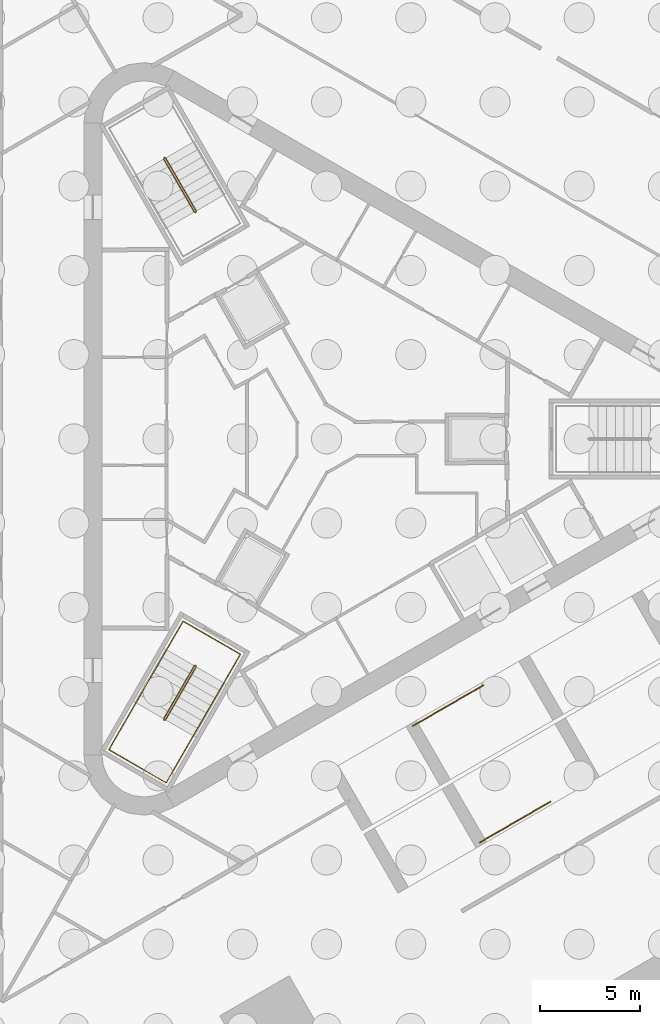
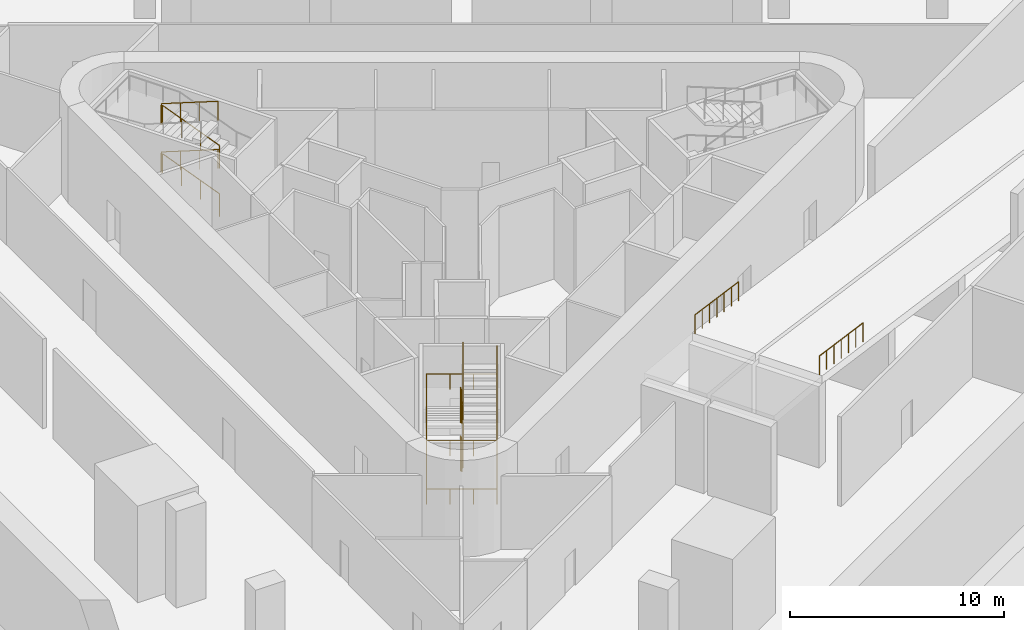
# One storey, part 11 of 13: 5 railings.
"""IFC4 building model written with IfcOpenShell, lengths in metres."""

import ifcopenshell
import ifcopenshell.guid

model = None  # the IFC model being written
_history = None  # IfcOwnerHistory: only IFC2X3 demands one
_inside = {}  # id of a spatial element -> (the spatial element, [elements in it])
_under = {}  # id of a project, library or spatial element -> (it, [spatial elements below it])
_declared = {}  # id of a project -> (the project, [libraries it declares])
_typed = {}  # id of a type object -> (the type object, [elements of that type])
_made_of = {}  # id of a material, layer set ... -> (it, [elements and type objects made of it])


def new_model(schema):
    """Start an empty IFC model of exactly this schema.

    Asked for "IFC4X3", IfcOpenShell would pick the latest addendum, in which some entities
    have other attributes; the version numbers below select the first issue.
    IFC2X3 requires an IfcOwnerHistory on every rooted entity: one is made here for all.
    """
    global model, _history
    if schema == "IFC4X3":
        model = ifcopenshell.file(schema_version=(4, 3, 0, 0))
    else:
        model = ifcopenshell.file(schema=schema)
    _inside.clear()
    _under.clear()
    _declared.clear()
    _typed.clear()
    _made_of.clear()
    _history = None
    if model.schema == "IFC2X3":
        org = make("IfcOrganization", Name="unknown")
        user = make(
            "IfcPersonAndOrganization",
            ThePerson=make("IfcPerson", FamilyName="unknown"),
            TheOrganization=org,
        )
        app = make(
            "IfcApplication",
            ApplicationDeveloper=org,
            Version="unknown",
            ApplicationFullName="unknown",
            ApplicationIdentifier="unknown",
        )
        _history = make(
            "IfcOwnerHistory",
            OwningUser=user,
            OwningApplication=app,
            ChangeAction="ADDED",
            CreationDate=0,
        )
    return model


def make(cls, **values):
    """One entity of the class cls with the attributes given. An attribute that is None is left unset."""
    return model.create_entity(
        cls, **{name: value for name, value in values.items() if value is not None}
    )


def rooted(cls, **values):
    """An entity with a GlobalId (a new one), such as an element, a storey or a relation."""
    return make(cls, GlobalId=ifcopenshell.guid.new(), OwnerHistory=_history, **values)


def si_unit(unit_type, name, prefix=None):
    """IfcSIUnit, for example si_unit("LENGTHUNIT", "METRE", prefix="MILLI")."""
    return make("IfcSIUnit", UnitType=unit_type, Prefix=prefix, Name=name)


def assignment(units):
    """IfcUnitAssignment: the units of a project."""
    return None if units is None else make("IfcUnitAssignment", Units=units)


def point(xyz):
    """IfcCartesianPoint."""
    return None if xyz is None else make("IfcCartesianPoint", Coordinates=xyz)


def direction(xyz):
    """IfcDirection."""
    return None if xyz is None else make("IfcDirection", DirectionRatios=xyz)


def frame(location, z_axis=None, x_axis=None):
    """IfcAxis2Placement3D, a coordinate frame: its origin and axes. An axis left out is left unset."""
    return make(
        "IfcAxis2Placement3D",
        Location=point(location),
        Axis=direction(z_axis),
        RefDirection=direction(x_axis),
    )


def frame_2d(location, x_axis=None):
    """IfcAxis2Placement2D, a coordinate frame in the plane: its origin and x axis."""
    return make(
        "IfcAxis2Placement2D", Location=point(location), RefDirection=direction(x_axis)
    )


def origin():
    """The frame at (0, 0, 0) with its axes left unset."""
    return frame((0.0, 0.0, 0.0))


def origin_2d():
    """The frame at (0, 0) in the plane with its x axis left unset."""
    return frame_2d((0.0, 0.0))


def place(relative_to, where):
    """IfcLocalPlacement: puts the frame where relative to a parent placement (None: the world)."""
    return make(
        "IfcLocalPlacement", PlacementRelTo=relative_to, RelativePlacement=where
    )


def context(
    kind, dimensions, precision=None, world=None, true_north=None, identifier=None
):
    """IfcGeometricRepresentationContext, for example the 3D "Model" context."""
    return make(
        "IfcGeometricRepresentationContext",
        ContextIdentifier=identifier,
        ContextType=kind,
        CoordinateSpaceDimension=dimensions,
        Precision=precision,
        WorldCoordinateSystem=world,
        TrueNorth=true_north,
    )


def subcontext(parent, identifier, kind, view, scale=None):
    """IfcGeometricRepresentationSubContext, for example "Body" below "Model"."""
    return make(
        "IfcGeometricRepresentationSubContext",
        ContextIdentifier=identifier,
        ContextType=kind,
        ParentContext=parent,
        TargetScale=scale,
        TargetView=view,
    )


def project(units=None, contexts=None):
    """IfcProject with its units and contexts."""
    return rooted(
        "IfcProject",
        Name="project",
        RepresentationContexts=contexts,
        UnitsInContext=assignment(units),
    )


def spatial(cls, under=None, at=None, **own):
    """A site, building, storey or space (cls), placed at a placement, below another one or the project."""
    s = rooted(cls, ObjectPlacement=at, **own)
    if under is not None:
        _under.setdefault(under.id(), (under, []))[1].append(s)
    return s


def profile(cls, at=None, kind="AREA", **sizes):
    """A parametric profile (cls). Its sizes go by their IFC names, for example OverallWidth=200.0."""
    return make(cls, ProfileType=kind, Position=at, **sizes)


def circle(**sizes):
    """IfcCircleProfileDef."""
    return profile("IfcCircleProfileDef", **sizes)


def extrude(swept, where, along, depth):
    """IfcExtrudedAreaSolid: the profile swept, set in the frame where, extruded along a direction by depth."""
    return make(
        "IfcExtrudedAreaSolid",
        SweptArea=swept,
        Position=where,
        ExtrudedDirection=direction(along),
        Depth=depth,
    )


def shape(context_of_items, identifier, shape_type, items):
    """IfcShapeRepresentation: the items that make up one representation, for example the "Body"."""
    return make(
        "IfcShapeRepresentation",
        ContextOfItems=context_of_items,
        RepresentationIdentifier=identifier,
        RepresentationType=shape_type,
        Items=items,
    )


def material(Name=None, Category=None):
    """IfcMaterial."""
    return make("IfcMaterial", Name=Name, Category=Category)


def made_of(thing, what):
    """Note that an element or type object is made of a material, layer set ...; save() writes the relation."""
    if what is not None:
        _made_of.setdefault(what.id(), (what, []))[1].append(thing)
    return thing


def type_object(cls, material=None, **own):
    """A type object (cls), such as IfcWallType, which elements share."""
    return made_of(rooted(cls, **own), material)


def element(
    cls,
    number,
    at=None,
    inside=None,
    cuts=None,
    type_object=None,
    material=None,
    context=None,
    identifier="Body",
    shape_type=None,
    held_by="IfcProductDefinitionShape",
    body=None,
    shapes=None,
    **own,
):
    """One element of the class cls, such as IfcWall. Its Tag is "e" and its number.

    at: its placement. inside: the storey or other place that contains it. cuts: it is an
    opening in that element (IfcRelVoidsElement). A single representation is given by context,
    identifier, shape_type and body (its items); several are given by shapes. held_by: the class
    of the entity that holds the representations. save() writes the other relations.
    """
    e = rooted(cls, Tag="e%d" % number, ObjectPlacement=at, **own)
    if body is not None:
        shapes = [shape(context, identifier, shape_type, body)]
    if shapes is not None:
        e.Representation = make(held_by, Representations=shapes)
    if inside is not None:
        _inside.setdefault(inside.id(), (inside, []))[1].append(e)
    if cuts is not None:
        rooted(
            "IfcRelVoidsElement", RelatingBuildingElement=cuts, RelatedOpeningElement=e
        )
    if type_object is not None:
        _typed.setdefault(type_object.id(), (type_object, []))[1].append(e)
    return made_of(e, material)


def aggregate(whole, parts):
    """IfcRelAggregates: a whole, such as a stair, and the parts it consists of."""
    return rooted("IfcRelAggregates", RelatingObject=whole, RelatedObjects=parts)


def save(model, path):
    """Write the relations noted so far, then the file.

    IfcRelAggregates (storeys below a building ...), IfcRelContainedInSpatialStructure (elements
    in a storey), IfcRelDefinesByType, IfcRelAssociatesMaterial and IfcRelDeclares: one each for
    every whole, place, type object, material and project.
    """
    for whole, parts in _under.values():
        aggregate(whole, parts)
    for where, things in _inside.values():
        rooted(
            "IfcRelContainedInSpatialStructure",
            RelatedElements=things,
            RelatingStructure=where,
        )
    for kind, things in _typed.values():
        rooted("IfcRelDefinesByType", RelatedObjects=things, RelatingType=kind)
    for what, things in _made_of.values():
        rooted("IfcRelAssociatesMaterial", RelatedObjects=things, RelatingMaterial=what)
    for by, libraries in _declared.values():
        rooted("IfcRelDeclares", RelatingContext=by, RelatedDefinitions=libraries)
    model.write(path)


model = new_model("IFC4")

# Units and contexts
model_context = context("Model", 3, precision=1e-05, world=origin(), true_north=direction((0.0, 1.0)))
body_context = subcontext(model_context, "Body", "Model", "MODEL_VIEW")
ifc_project = project(units=[si_unit("LENGTHUNIT", "METRE"), si_unit("AREAUNIT", "SQUARE_METRE"), si_unit("VOLUMEUNIT", "CUBIC_METRE"), si_unit("PLANEANGLEUNIT", "RADIAN"), si_unit("MASSUNIT", "GRAM", prefix="KILO")], contexts=[model_context])

# Site, building, storey
site_placement = place(None, origin())
site = spatial("IfcSite", under=ifc_project, at=site_placement, CompositionType="ELEMENT")
building_placement = place(site_placement, origin())
building = spatial("IfcBuilding", under=site, at=building_placement, Name="Tanit Gate Tower", CompositionType="ELEMENT")
storey_placement = place(building_placement, frame((0.0, 0.0, -11.0)))
storey = spatial("IfcBuildingStorey", under=building, at=storey_placement, Name="B2", CompositionType="ELEMENT", Elevation=-11.0)

# Railings
ifc_material_1 = material(Name="Stainless steel balustrade", Category="steel")
railing_type_1 = type_object("IfcRailingType", Name="INT-STAIR-GUARD", PredefinedType="GUARDRAIL", material=ifc_material_1)
railing_1_placement = place(storey_placement, frame((-6.527099609375, 11.29345703125, 0.0)))
element("IfcRailing", 1, at=railing_1_placement, inside=storey, type_object=railing_type_1, Name="B2 S2 stair guard 1", PredefinedType="GUARDRAIL", context=body_context, shape_type="SweptSolid", body=[
    extrude(circle(Radius=0.02392578125, at=origin_2d()), frame((0.0, 0.0, 1.076171875), z_axis=(0.868243142124, 0.496138938357, 0.0), x_axis=(-0.496138938357, 0.868243142124, 0.0)), (0.0, 0.0, 1.0), 0.01171875),
    extrude(circle(Radius=0.02392578125, at=origin_2d()), frame((0.01025390625, 0.005859375, 1.076171875), z_axis=(0.098510316608, 0.367771848671, 0.924683505231), x_axis=(-0.965948051503, 0.258736085224, 0.0)), (0.0, 0.0, 1.0), 0.185791015625),
    extrude(circle(Radius=0.02392578125, at=origin_2d()), frame((0.028564453125, 0.07421875, 1.248046875), z_axis=(-0.465124729526, 0.805570708496, 0.367035174877), x_axis=(-0.866012246495, -0.500022788402, 0.0)), (0.0, 0.0, 1.0), 3.278076171875),
    extrude(circle(Radius=0.02392578125, at=origin_2d()), frame((-1.49609375, 2.71484375, 2.451171875), z_axis=(-0.965715946433, 0.259601060869, 0.0), x_axis=(-0.259601060869, -0.965715946433, 0.0)), (0.0, 0.0, 1.0), 0.070556640625),
    extrude(circle(Radius=0.02392578125, at=origin_2d()), frame((-1.564208984375, 2.733154296875, 2.451171875), z_axis=(-0.873197702015, -0.487366159264, 0.0), x_axis=(0.487366159264, -0.873197702015, 0.0)), (0.0, 0.0, 1.0), 0.011962890625),
    extrude(circle(Radius=0.02392578125, at=origin_2d()), frame((-1.57470703125, 2.727294921875, 2.451171875), z_axis=(-0.098510316608, -0.367771848671, 0.924683505231), x_axis=(0.965948051503, -0.258736085224, 0.0)), (0.0, 0.0, 1.0), 0.185791015625),
    extrude(circle(Radius=0.02392578125, at=origin_2d()), frame((-1.593017578125, 2.658935546875, 2.623046875), z_axis=(0.465124729526, -0.805570708496, 0.367035174877), x_axis=(0.866012246495, 0.500022788402, 0.0)), (0.0, 0.0, 1.0), 3.278076171875),
    extrude(circle(Radius=0.02392578125, at=origin_2d()), frame((-0.068359375, 0.018310546875, 3.826171875), z_axis=(0.965948051503, -0.258736085224, 0.0), x_axis=(0.258736085224, 0.965948051503, 0.0)), (0.0, 0.0, 1.0), 0.07080078125),
    extrude(circle(Radius=0.02392578125, at=origin_2d()), frame((0.0, 0.0, 3.826171875), z_axis=(0.868243142124, 0.496138938357, 0.0), x_axis=(-0.496138938357, 0.868243142124, 0.0)), (0.0, 0.0, 1.0), 0.01171875),
    extrude(circle(Radius=0.02392578125, at=origin_2d()), frame((0.01025390625, 0.005859375, 3.826171875), z_axis=(0.098510316608, 0.367771848671, 0.924683505231), x_axis=(-0.965948051503, 0.258736085224, 0.0)), (0.0, 0.0, 1.0), 0.185791015625),
    extrude(circle(Radius=0.02392578125, at=origin_2d()), frame((0.028564453125, 0.07421875, 3.998046875), z_axis=(-0.465124729526, 0.805570708496, 0.367035174877), x_axis=(-0.866012246495, -0.500022788402, 0.0)), (0.0, 0.0, 1.0), 3.278076171875),
    extrude(circle(Radius=0.02392578125, at=origin_2d()), frame((-1.49609375, 2.71484375, 5.201171875), z_axis=(-0.965715946433, 0.259601060869, 0.0), x_axis=(-0.259601060869, -0.965715946433, 0.0)), (0.0, 0.0, 1.0), 0.070556640625),
    extrude(circle(Radius=0.02392578125, at=origin_2d()), frame((-1.564208984375, 2.733154296875, 5.201171875), z_axis=(-0.873197702015, -0.487366159264, 0.0), x_axis=(0.487366159264, -0.873197702015, 0.0)), (0.0, 0.0, 1.0), 0.011962890625),
    extrude(circle(Radius=0.02392578125, at=origin_2d()), frame((-1.57470703125, 2.727294921875, 5.201171875), z_axis=(-0.098510316608, -0.367771848671, 0.924683505231), x_axis=(0.965948051503, -0.258736085224, 0.0)), (0.0, 0.0, 1.0), 0.185791015625),
    extrude(circle(Radius=0.02392578125, at=origin_2d()), frame((-1.593017578125, 2.658935546875, 5.373046875), z_axis=(0.465124729526, -0.805570708496, 0.367035174877), x_axis=(0.866012246495, 0.500022788402, 0.0)), (0.0, 0.0, 1.0), 3.278076171875),
    extrude(circle(Radius=0.02099609375, at=origin_2d()), origin(), (0.0, 0.0, 1.0), 1.052001953125),
    extrude(circle(Radius=0.02099609375, at=origin_2d()), frame((0.01025390625, 0.005859375, 0.0)), (0.0, 0.0, 1.0), 1.052001953125),
    extrude(circle(Radius=0.02099609375, at=origin_2d()), frame((0.028564453125, 0.07421875, 0.171875)), (0.0, 0.0, 1.0), 1.052001953125),
    extrude(circle(Radius=0.02099609375, at=origin_2d()), frame((-0.479736328125, 0.954345703125, 0.572998046875)), (0.0, 0.0, 1.0), 1.052001953125),
    extrude(circle(Radius=0.02099609375, at=origin_2d()), frame((-0.98779296875, 1.834716796875, 0.973876953125)), (0.0, 0.0, 1.0), 1.052001953125),
    extrude(circle(Radius=0.02099609375, at=origin_2d()), frame((-1.49609375, 2.71484375, 1.375)), (0.0, 0.0, 1.0), 1.052001953125),
    extrude(circle(Radius=0.02099609375, at=origin_2d()), frame((-1.564208984375, 2.733154296875, 1.375)), (0.0, 0.0, 1.0), 1.052001953125),
    extrude(circle(Radius=0.02099609375, at=origin_2d()), frame((-1.57470703125, 2.727294921875, 1.375)), (0.0, 0.0, 1.0), 1.052001953125),
    extrude(circle(Radius=0.02099609375, at=origin_2d()), frame((-1.593017578125, 2.658935546875, 1.546875)), (0.0, 0.0, 1.0), 1.052001953125),
    extrude(circle(Radius=0.02099609375, at=origin_2d()), frame((-1.084716796875, 1.77880859375, 1.947998046875)), (0.0, 0.0, 1.0), 1.052001953125),
    extrude(circle(Radius=0.02099609375, at=origin_2d()), frame((-0.57666015625, 0.8984375, 2.348876953125)), (0.0, 0.0, 1.0), 1.052001953125),
    extrude(circle(Radius=0.02099609375, at=origin_2d()), frame((-0.068359375, 0.018310546875, 2.75)), (0.0, 0.0, 1.0), 1.052001953125),
    extrude(circle(Radius=0.02099609375, at=origin_2d()), frame((0.0, 0.0, 2.75)), (0.0, 0.0, 1.0), 1.052001953125),
    extrude(circle(Radius=0.02099609375, at=origin_2d()), frame((0.01025390625, 0.005859375, 2.75)), (0.0, 0.0, 1.0), 1.052001953125),
    extrude(circle(Radius=0.02099609375, at=origin_2d()), frame((0.028564453125, 0.07421875, 2.921875)), (0.0, 0.0, 1.0), 1.052001953125),
    extrude(circle(Radius=0.02099609375, at=origin_2d()), frame((-0.479736328125, 0.954345703125, 3.322998046875)), (0.0, 0.0, 1.0), 1.052001953125),
    extrude(circle(Radius=0.02099609375, at=origin_2d()), frame((-0.98779296875, 1.834716796875, 3.723876953125)), (0.0, 0.0, 1.0), 1.052001953125),
    extrude(circle(Radius=0.02099609375, at=origin_2d()), frame((-1.49609375, 2.71484375, 4.125)), (0.0, 0.0, 1.0), 1.052001953125),
    extrude(circle(Radius=0.02099609375, at=origin_2d()), frame((-1.564208984375, 2.733154296875, 4.125)), (0.0, 0.0, 1.0), 1.052001953125),
    extrude(circle(Radius=0.02099609375, at=origin_2d()), frame((-1.57470703125, 2.727294921875, 4.125)), (0.0, 0.0, 1.0), 1.052001953125),
    extrude(circle(Radius=0.02099609375, at=origin_2d()), frame((-1.593017578125, 2.658935546875, 4.296875)), (0.0, 0.0, 1.0), 1.052001953125),
    extrude(circle(Radius=0.02099609375, at=origin_2d()), frame((-1.084716796875, 1.77880859375, 4.697998046875)), (0.0, 0.0, 1.0), 1.052001953125),
    extrude(circle(Radius=0.02099609375, at=origin_2d()), frame((-0.57666015625, 0.8984375, 5.098876953125)), (0.0, 0.0, 1.0), 1.052001953125),
    extrude(circle(Radius=0.02099609375, at=origin_2d()), frame((-0.068359375, 0.018310546875, 5.5)), (0.0, 0.0, 1.0), 1.052001953125),
])
railing_2_placement = place(storey_placement, frame((-6.51806640625, -11.2998046875, 0.0)))
element("IfcRailing", 2, at=railing_2_placement, inside=storey, type_object=railing_type_1, Name="B2 S3 stair guard 1", PredefinedType="GUARDRAIL", context=body_context, shape_type="SweptSolid", body=[
    extrude(circle(Radius=0.02392578125, at=origin_2d()), frame((0.0, 0.0, 1.076171875), z_axis=(-0.874157276122, 0.485642931179, 0.0), x_axis=(-0.485642931179, -0.874157276122, 0.0)), (0.0, 0.0, 1.0), 0.010009765625),
    extrude(circle(Radius=0.02392578125, at=origin_2d()), frame((-0.0087890625, 0.0048828125, 1.076171875), z_axis=(-0.367819126704, -0.097209340629, 0.924802375713), x_axis=(0.255512919477, -0.966805641264, 0.0)), (0.0, 0.0, 1.0), 0.185791015625),
    extrude(circle(Radius=0.02392578125, at=origin_2d()), frame((-0.0771484375, -0.01318359375, 1.248046875), z_axis=(-0.465104481216, -0.805669942413, 0.3668429711), x_axis=(0.866048339477, -0.499960272111, 0.0)), (0.0, 0.0, 1.0), 3.27978515625),
    extrude(circle(Radius=0.02392578125, at=origin_2d()), frame((-1.6025390625, -2.655517578125, 2.451171875), z_axis=(0.258736085224, -0.965948051503, 0.0), x_axis=(0.965948051503, 0.258736085224, 0.0)), (0.0, 0.0, 1.0), 0.07080078125),
    extrude(circle(Radius=0.02392578125, at=origin_2d()), frame((-1.584228515625, -2.723876953125, 2.451171875), z_axis=(0.868243142124, -0.496138938357, 0.0), x_axis=(0.496138938357, 0.868243142124, 0.0)), (0.0, 0.0, 1.0), 0.009765625),
    extrude(circle(Radius=0.02392578125, at=origin_2d()), frame((-1.57568359375, -2.728759765625, 2.451171875), z_axis=(0.367771848671, 0.098510316608, 0.924683505231), x_axis=(-0.258736085224, 0.965948051503, 0.0)), (0.0, 0.0, 1.0), 0.185791015625),
    extrude(circle(Radius=0.02392578125, at=origin_2d()), frame((-1.50732421875, -2.71044921875, 2.623046875), z_axis=(0.465190712783, 0.805615921545, 0.366852269578), x_axis=(-0.865993683553, 0.500054937028, 0.0)), (0.0, 0.0, 1.0), 3.279541015625),
    extrude(circle(Radius=0.02392578125, at=origin_2d()), frame((0.018310546875, -0.068359375, 3.826171875), z_axis=(-0.258736085224, 0.965948051503, 0.0), x_axis=(-0.965948051503, -0.258736085224, 0.0)), (0.0, 0.0, 1.0), 0.07080078125),
    extrude(circle(Radius=0.02392578125, at=origin_2d()), frame((0.0, 0.0, 3.826171875), z_axis=(-0.874157276122, 0.485642931179, 0.0), x_axis=(-0.485642931179, -0.874157276122, 0.0)), (0.0, 0.0, 1.0), 0.010009765625),
    extrude(circle(Radius=0.02392578125, at=origin_2d()), frame((-0.0087890625, 0.0048828125, 3.826171875), z_axis=(-0.367819126704, -0.097209340629, 0.924802375713), x_axis=(0.255512919477, -0.966805641264, 0.0)), (0.0, 0.0, 1.0), 0.185791015625),
    extrude(circle(Radius=0.02392578125, at=origin_2d()), frame((-0.0771484375, -0.01318359375, 3.998046875), z_axis=(-0.465104481216, -0.805669942413, 0.3668429711), x_axis=(0.866048339477, -0.499960272111, 0.0)), (0.0, 0.0, 1.0), 3.27978515625),
    extrude(circle(Radius=0.02392578125, at=origin_2d()), frame((-1.6025390625, -2.655517578125, 5.201171875), z_axis=(0.258736085224, -0.965948051503, 0.0), x_axis=(0.965948051503, 0.258736085224, 0.0)), (0.0, 0.0, 1.0), 0.07080078125),
    extrude(circle(Radius=0.02392578125, at=origin_2d()), frame((-1.584228515625, -2.723876953125, 5.201171875), z_axis=(0.868243142124, -0.496138938357, 0.0), x_axis=(0.496138938357, 0.868243142124, 0.0)), (0.0, 0.0, 1.0), 0.009765625),
    extrude(circle(Radius=0.02392578125, at=origin_2d()), frame((-1.57568359375, -2.728759765625, 5.201171875), z_axis=(0.367771848671, 0.098510316608, 0.924683505231), x_axis=(-0.258736085224, 0.965948051503, 0.0)), (0.0, 0.0, 1.0), 0.185791015625),
    extrude(circle(Radius=0.02392578125, at=origin_2d()), frame((-1.50732421875, -2.71044921875, 5.373046875), z_axis=(0.465190712783, 0.805615921545, 0.366852269578), x_axis=(-0.865993683553, 0.500054937028, 0.0)), (0.0, 0.0, 1.0), 3.279541015625),
    extrude(circle(Radius=0.02099609375, at=origin_2d()), origin(), (0.0, 0.0, 1.0), 1.052001953125),
    extrude(circle(Radius=0.02099609375, at=origin_2d()), frame((-0.0087890625, 0.0048828125, 0.0)), (0.0, 0.0, 1.0), 1.052001953125),
    extrude(circle(Radius=0.02099609375, at=origin_2d()), frame((-0.0771484375, -0.01318359375, 0.171875)), (0.0, 0.0, 1.0), 1.052001953125),
    extrude(circle(Radius=0.02099609375, at=origin_2d()), frame((-0.585693359375, -0.89404296875, 0.572998046875)), (0.0, 0.0, 1.0), 1.052001953125),
    extrude(circle(Radius=0.02099609375, at=origin_2d()), frame((-1.093994140625, -1.774658203125, 0.973876953125)), (0.0, 0.0, 1.0), 1.052001953125),
    extrude(circle(Radius=0.02099609375, at=origin_2d()), frame((-1.6025390625, -2.655517578125, 1.375)), (0.0, 0.0, 1.0), 1.052001953125),
    extrude(circle(Radius=0.02099609375, at=origin_2d()), frame((-1.584228515625, -2.723876953125, 1.375)), (0.0, 0.0, 1.0), 1.052001953125),
    extrude(circle(Radius=0.02099609375, at=origin_2d()), frame((-1.57568359375, -2.728759765625, 1.375)), (0.0, 0.0, 1.0), 1.052001953125),
    extrude(circle(Radius=0.02099609375, at=origin_2d()), frame((-1.50732421875, -2.71044921875, 1.546875)), (0.0, 0.0, 1.0), 1.052001953125),
    extrude(circle(Radius=0.02099609375, at=origin_2d()), frame((-0.998779296875, -1.829833984375, 1.947998046875)), (0.0, 0.0, 1.0), 1.052001953125),
    extrude(circle(Radius=0.02099609375, at=origin_2d()), frame((-0.490234375, -0.948974609375, 2.348876953125)), (0.0, 0.0, 1.0), 1.052001953125),
    extrude(circle(Radius=0.02099609375, at=origin_2d()), frame((0.018310546875, -0.068359375, 2.75)), (0.0, 0.0, 1.0), 1.052001953125),
    extrude(circle(Radius=0.02099609375, at=origin_2d()), frame((0.0, 0.0, 2.75)), (0.0, 0.0, 1.0), 1.052001953125),
    extrude(circle(Radius=0.02099609375, at=origin_2d()), frame((-0.0087890625, 0.0048828125, 2.75)), (0.0, 0.0, 1.0), 1.052001953125),
    extrude(circle(Radius=0.02099609375, at=origin_2d()), frame((-0.0771484375, -0.01318359375, 2.921875)), (0.0, 0.0, 1.0), 1.052001953125),
    extrude(circle(Radius=0.02099609375, at=origin_2d()), frame((-0.585693359375, -0.89404296875, 3.322998046875)), (0.0, 0.0, 1.0), 1.052001953125),
    extrude(circle(Radius=0.02099609375, at=origin_2d()), frame((-1.093994140625, -1.774658203125, 3.723876953125)), (0.0, 0.0, 1.0), 1.052001953125),
    extrude(circle(Radius=0.02099609375, at=origin_2d()), frame((-1.6025390625, -2.655517578125, 4.125)), (0.0, 0.0, 1.0), 1.052001953125),
    extrude(circle(Radius=0.02099609375, at=origin_2d()), frame((-1.584228515625, -2.723876953125, 4.125)), (0.0, 0.0, 1.0), 1.052001953125),
    extrude(circle(Radius=0.02099609375, at=origin_2d()), frame((-1.57568359375, -2.728759765625, 4.125)), (0.0, 0.0, 1.0), 1.052001953125),
    extrude(circle(Radius=0.02099609375, at=origin_2d()), frame((-1.50732421875, -2.71044921875, 4.296875)), (0.0, 0.0, 1.0), 1.052001953125),
    extrude(circle(Radius=0.02099609375, at=origin_2d()), frame((-0.998779296875, -1.829833984375, 4.697998046875)), (0.0, 0.0, 1.0), 1.052001953125),
    extrude(circle(Radius=0.02099609375, at=origin_2d()), frame((-0.490234375, -0.948974609375, 5.098876953125)), (0.0, 0.0, 1.0), 1.052001953125),
    extrude(circle(Radius=0.02099609375, at=origin_2d()), frame((0.018310546875, -0.068359375, 5.5)), (0.0, 0.0, 1.0), 1.052001953125),
])
ifc_material_2 = material(Name="Stainless steel handrail", Category="steel")
railing_type_2 = type_object("IfcRailingType", Name="INT-STAIR-HANDRAIL", PredefinedType="HANDRAIL", material=ifc_material_2)
railing_3_placement = place(storey_placement, frame((-7.9765625, -10.515625, 0.171875)))
element("IfcRailing", 3, at=railing_3_placement, inside=storey, type_object=railing_type_2, Name="B2 S3 stair handrail 1", PredefinedType="HANDRAIL", context=body_context, shape_type="SweptSolid", body=[
    extrude(circle(Radius=0.02392578125, at=origin_2d()), frame((0.0, 0.0, 0.8759765625), z_axis=(-0.465104481216, -0.805669942413, 0.3668429711), x_axis=(0.866048339477, -0.499960272111, 0.0)), (0.0, 0.0, 1.0), 3.27978515625),
    extrude(circle(Radius=0.02392578125, at=origin_2d()), frame((-1.525390625, -2.642333984375, 2.0791015625), z_axis=(-0.50004290449, -0.866000631449, 0.0), x_axis=(0.866000631449, -0.50004290449, 0.0)), (0.0, 0.0, 1.0), 2.703857421875),
    extrude(circle(Radius=0.02392578125, at=origin_2d()), frame((-2.87744140625, -4.98388671875, 2.0791015625), z_axis=(0.866008176907, -0.50002983664, 0.0), x_axis=(0.50002983664, 0.866008176907, 0.0)), (0.0, 0.0, 1.0), 3.300048828125),
    extrude(circle(Radius=0.02392578125, at=origin_2d()), frame((-0.01953125, -6.634033203125, 2.0791015625), z_axis=(0.498996838331, 0.864279103154, 0.063433328672), x_axis=(-0.866023205937, 0.500003806764, 0.0)), (0.0, 0.0, 1.0), 2.70947265625),
    extrude(circle(Radius=0.02392578125, at=origin_2d()), frame((1.33251953125, -4.292236328125, 2.2509765625), z_axis=(0.465104481216, 0.805669942413, 0.3668429711), x_axis=(-0.866048339477, 0.499960272111, 0.0)), (0.0, 0.0, 1.0), 3.27978515625),
    extrude(circle(Radius=0.02392578125, at=origin_2d()), frame((2.85791015625, -1.64990234375, 3.4541015625), z_axis=(0.50001794124, 0.866015045157, 0.0), x_axis=(-0.866015045157, 0.50001794124, 0.0)), (0.0, 0.0, 1.0), 1.64501953125),
    extrude(circle(Radius=0.02392578125, at=origin_2d()), frame((3.680419921875, -0.225341796875, 3.4541015625), z_axis=(-0.866040211805, 0.499974350878, 0.0), x_axis=(-0.499974350878, -0.866040211805, 0.0)), (0.0, 0.0, 1.0), 3.300048828125),
    extrude(circle(Radius=0.02392578125, at=origin_2d()), frame((0.822509765625, 1.424560546875, 3.4541015625), z_axis=(-0.497310670134, -0.861326138389, 0.103920068796), x_axis=(0.866015045157, -0.50001794124, 0.0)), (0.0, 0.0, 1.0), 1.65380859375),
    extrude(circle(Radius=0.02392578125, at=origin_2d()), frame((0.0, 0.0, 3.6259765625), z_axis=(-0.465104481216, -0.805669942413, 0.3668429711), x_axis=(0.866048339477, -0.499960272111, 0.0)), (0.0, 0.0, 1.0), 3.27978515625),
    extrude(circle(Radius=0.02392578125, at=origin_2d()), frame((-1.525390625, -2.642333984375, 4.8291015625), z_axis=(-0.50004290449, -0.866000631449, 0.0), x_axis=(0.866000631449, -0.50004290449, 0.0)), (0.0, 0.0, 1.0), 2.703857421875),
    extrude(circle(Radius=0.02392578125, at=origin_2d()), frame((-2.87744140625, -4.98388671875, 4.8291015625), z_axis=(0.866008176907, -0.50002983664, 0.0), x_axis=(0.50002983664, 0.866008176907, 0.0)), (0.0, 0.0, 1.0), 3.300048828125),
    extrude(circle(Radius=0.02392578125, at=origin_2d()), frame((-0.01953125, -6.634033203125, 4.8291015625), z_axis=(0.498996838331, 0.864279103154, 0.063433328672), x_axis=(-0.866023205937, 0.500003806764, 0.0)), (0.0, 0.0, 1.0), 2.70947265625),
    extrude(circle(Radius=0.02392578125, at=origin_2d()), frame((1.33251953125, -4.292236328125, 5.0009765625), z_axis=(0.465104481216, 0.805669942413, 0.3668429711), x_axis=(-0.866048339477, 0.499960272111, 0.0)), (0.0, 0.0, 1.0), 3.27978515625),
    extrude(circle(Radius=0.02099609375, at=origin_2d()), origin(), (0.0, 0.0, 1.0), 0.851806640625),
    extrude(circle(Radius=0.02099609375, at=origin_2d()), frame((-0.508544921875, -0.880859375, 0.401123046875)), (0.0, 0.0, 1.0), 0.851806640625),
    extrude(circle(Radius=0.02099609375, at=origin_2d()), frame((-1.016845703125, -1.761474609375, 0.802001953125)), (0.0, 0.0, 1.0), 0.851806640625),
    extrude(circle(Radius=0.02099609375, at=origin_2d()), frame((-1.525390625, -2.642333984375, 1.203125)), (0.0, 0.0, 1.0), 0.851806640625),
    extrude(circle(Radius=0.02099609375, at=origin_2d()), frame((-1.97607421875, -3.4228515625, 1.203125)), (0.0, 0.0, 1.0), 0.851806640625),
    extrude(circle(Radius=0.02099609375, at=origin_2d()), frame((-2.4267578125, -4.203369140625, 1.203125)), (0.0, 0.0, 1.0), 0.851806640625),
    extrude(circle(Radius=0.02099609375, at=origin_2d()), frame((-2.87744140625, -4.98388671875, 1.203125)), (0.0, 0.0, 1.0), 0.851806640625),
    extrude(circle(Radius=0.02099609375, at=origin_2d()), frame((-1.9248046875, -5.533935546875, 1.203125)), (0.0, 0.0, 1.0), 0.851806640625),
    extrude(circle(Radius=0.02099609375, at=origin_2d()), frame((-0.97216796875, -6.083984375, 1.203125)), (0.0, 0.0, 1.0), 0.851806640625),
    extrude(circle(Radius=0.02099609375, at=origin_2d()), frame((-0.01953125, -6.634033203125, 1.203125)), (0.0, 0.0, 1.0), 0.851806640625),
    extrude(circle(Radius=0.02099609375, at=origin_2d()), frame((0.43115234375, -5.853515625, 1.260498046875)), (0.0, 0.0, 1.0), 0.851806640625),
    extrude(circle(Radius=0.02099609375, at=origin_2d()), frame((0.8818359375, -5.07275390625, 1.317626953125)), (0.0, 0.0, 1.0), 0.851806640625),
    extrude(circle(Radius=0.02099609375, at=origin_2d()), frame((1.33251953125, -4.292236328125, 1.375)), (0.0, 0.0, 1.0), 0.851806640625),
    extrude(circle(Radius=0.02099609375, at=origin_2d()), frame((1.841064453125, -3.411376953125, 1.776123046875)), (0.0, 0.0, 1.0), 0.851806640625),
    extrude(circle(Radius=0.02099609375, at=origin_2d()), frame((2.349365234375, -2.53076171875, 2.177001953125)), (0.0, 0.0, 1.0), 0.851806640625),
    extrude(circle(Radius=0.02099609375, at=origin_2d()), frame((2.85791015625, -1.64990234375, 2.578125)), (0.0, 0.0, 1.0), 0.851806640625),
    extrude(circle(Radius=0.02099609375, at=origin_2d()), frame((3.26904296875, -0.9375, 2.578125)), (0.0, 0.0, 1.0), 0.851806640625),
    extrude(circle(Radius=0.02099609375, at=origin_2d()), frame((3.680419921875, -0.225341796875, 2.578125)), (0.0, 0.0, 1.0), 0.851806640625),
    extrude(circle(Radius=0.02099609375, at=origin_2d()), frame((2.727783203125, 0.32470703125, 2.578125)), (0.0, 0.0, 1.0), 0.851806640625),
    extrude(circle(Radius=0.02099609375, at=origin_2d()), frame((1.775146484375, 0.87451171875, 2.578125)), (0.0, 0.0, 1.0), 0.851806640625),
    extrude(circle(Radius=0.02099609375, at=origin_2d()), frame((0.822509765625, 1.424560546875, 2.578125)), (0.0, 0.0, 1.0), 0.851806640625),
    extrude(circle(Radius=0.02099609375, at=origin_2d()), frame((0.4111328125, 0.71240234375, 2.6640625)), (0.0, 0.0, 1.0), 0.851806640625),
    extrude(circle(Radius=0.02099609375, at=origin_2d()), frame((0.0, 0.0, 2.75)), (0.0, 0.0, 1.0), 0.851806640625),
    extrude(circle(Radius=0.02099609375, at=origin_2d()), frame((-0.508544921875, -0.880859375, 3.151123046875)), (0.0, 0.0, 1.0), 0.851806640625),
    extrude(circle(Radius=0.02099609375, at=origin_2d()), frame((-1.016845703125, -1.761474609375, 3.552001953125)), (0.0, 0.0, 1.0), 0.851806640625),
    extrude(circle(Radius=0.02099609375, at=origin_2d()), frame((-1.525390625, -2.642333984375, 3.953125)), (0.0, 0.0, 1.0), 0.851806640625),
    extrude(circle(Radius=0.02099609375, at=origin_2d()), frame((-1.97607421875, -3.4228515625, 3.953125)), (0.0, 0.0, 1.0), 0.851806640625),
    extrude(circle(Radius=0.02099609375, at=origin_2d()), frame((-2.4267578125, -4.203369140625, 3.953125)), (0.0, 0.0, 1.0), 0.851806640625),
    extrude(circle(Radius=0.02099609375, at=origin_2d()), frame((-2.87744140625, -4.98388671875, 3.953125)), (0.0, 0.0, 1.0), 0.851806640625),
    extrude(circle(Radius=0.02099609375, at=origin_2d()), frame((-1.9248046875, -5.533935546875, 3.953125)), (0.0, 0.0, 1.0), 0.851806640625),
    extrude(circle(Radius=0.02099609375, at=origin_2d()), frame((-0.97216796875, -6.083984375, 3.953125)), (0.0, 0.0, 1.0), 0.851806640625),
    extrude(circle(Radius=0.02099609375, at=origin_2d()), frame((-0.01953125, -6.634033203125, 3.953125)), (0.0, 0.0, 1.0), 0.851806640625),
    extrude(circle(Radius=0.02099609375, at=origin_2d()), frame((0.43115234375, -5.853515625, 4.010498046875)), (0.0, 0.0, 1.0), 0.851806640625),
    extrude(circle(Radius=0.02099609375, at=origin_2d()), frame((0.8818359375, -5.07275390625, 4.067626953125)), (0.0, 0.0, 1.0), 0.851806640625),
    extrude(circle(Radius=0.02099609375, at=origin_2d()), frame((1.33251953125, -4.292236328125, 4.125)), (0.0, 0.0, 1.0), 0.851806640625),
    extrude(circle(Radius=0.02099609375, at=origin_2d()), frame((1.841064453125, -3.411376953125, 4.526123046875)), (0.0, 0.0, 1.0), 0.851806640625),
    extrude(circle(Radius=0.02099609375, at=origin_2d()), frame((2.349365234375, -2.53076171875, 4.927001953125)), (0.0, 0.0, 1.0), 0.851806640625),
    extrude(circle(Radius=0.02099609375, at=origin_2d()), frame((2.85791015625, -1.64990234375, 5.328125)), (0.0, 0.0, 1.0), 0.851806640625),
])
ifc_material_3 = material(Name="Steel S355", Category="steel")
railing_type_3 = type_object("IfcRailingType", Name="Ramp edge guard 1100", PredefinedType="GUARDRAIL", material=ifc_material_3)
railing_4_placement = place(storey_placement, frame((7.8125, -12.290283203125, 4.4912109375)))
element("IfcRailing", 4, at=railing_4_placement, inside=storey, type_object=railing_type_3, Name="RAMP EDGE GUARD", PredefinedType="GUARDRAIL", context=body_context, shape_type="SweptSolid", body=[
    extrude(circle(Radius=0.02392578125, at=origin_2d()), frame((0.0, 0.0, 1.076171875), z_axis=(-0.857375974453, -0.494900827884, 0.141349244747), x_axis=(0.499920129658, -0.866071512037, 0.0)), (0.0, 0.0, 1.0), 1.367919921875),
    extrude(circle(Radius=0.02392578125, at=origin_2d()), frame((-1.1728515625, -0.677001953125, 1.26953125), z_axis=(-0.857252934563, -0.495111313862, 0.141358385212), x_axis=(0.500133409758, -0.865948365922, 0.0)), (0.0, 0.0, 1.0), 1.367919921875),
    extrude(circle(Radius=0.02392578125, at=origin_2d()), frame((-2.345458984375, -1.354248046875, 1.462890625), z_axis=(-0.857375974453, -0.494900827884, 0.141349244747), x_axis=(0.499920129658, -0.866071512037, 0.0)), (0.0, 0.0, 1.0), 1.367919921875),
    extrude(circle(Radius=0.02099609375, at=origin_2d()), origin(), (0.0, 0.0, 1.0), 1.052001953125),
    extrude(circle(Radius=0.02099609375, at=origin_2d()), frame((-0.58642578125, -0.33837890625, 0.0966796875)), (0.0, 0.0, 1.0), 1.052001953125),
    extrude(circle(Radius=0.02099609375, at=origin_2d()), frame((-1.1728515625, -0.677001953125, 0.193359375)), (0.0, 0.0, 1.0), 1.052001953125),
    extrude(circle(Radius=0.02099609375, at=origin_2d()), frame((-1.75927734375, -1.015625, 0.2900390625)), (0.0, 0.0, 1.0), 1.052001953125),
    extrude(circle(Radius=0.02099609375, at=origin_2d()), frame((-2.345458984375, -1.354248046875, 0.38671875)), (0.0, 0.0, 1.0), 1.052001953125),
    extrude(circle(Radius=0.02099609375, at=origin_2d()), frame((-2.931884765625, -1.69287109375, 0.4833984375)), (0.0, 0.0, 1.0), 1.052001953125),
    extrude(circle(Radius=0.02099609375, at=origin_2d()), frame((-3.518310546875, -2.03125, 0.580078125)), (0.0, 0.0, 1.0), 1.052001953125),
])
railing_5_placement = place(storey_placement, frame((11.16259765625, -18.0927734375, 4.4912109375)))
element("IfcRailing", 5, at=railing_5_placement, inside=storey, type_object=railing_type_3, Name="RAMP EDGE GUARD", PredefinedType="GUARDRAIL", context=body_context, shape_type="SweptSolid", body=[
    extrude(circle(Radius=0.02392578125, at=origin_2d()), frame((0.0, 0.0, 1.076171875), z_axis=(-0.857375974453, -0.494900827884, 0.141349244747), x_axis=(0.499920129658, -0.866071512037, 0.0)), (0.0, 0.0, 1.0), 1.367919921875),
    extrude(circle(Radius=0.02392578125, at=origin_2d()), frame((-1.1728515625, -0.677001953125, 1.26953125), z_axis=(-0.857300242604, -0.495035568898, 0.141336759397), x_axis=(0.500055336774, -0.865993452726, 0.0)), (0.0, 0.0, 1.0), 1.3681640625),
    extrude(circle(Radius=0.02392578125, at=origin_2d()), frame((-2.345703125, -1.354248046875, 1.462890625), z_axis=(-0.857328685411, -0.494976565614, 0.141370876295), x_axis=(0.499998195608, -0.866026445548, 0.0)), (0.0, 0.0, 1.0), 1.36767578125),
    extrude(circle(Radius=0.02099609375, at=origin_2d()), origin(), (0.0, 0.0, 1.0), 1.052001953125),
    extrude(circle(Radius=0.02099609375, at=origin_2d()), frame((-0.58642578125, -0.33837890625, 0.0966796875)), (0.0, 0.0, 1.0), 1.052001953125),
    extrude(circle(Radius=0.02099609375, at=origin_2d()), frame((-1.1728515625, -0.677001953125, 0.193359375)), (0.0, 0.0, 1.0), 1.052001953125),
    extrude(circle(Radius=0.02099609375, at=origin_2d()), frame((-1.75927734375, -1.015625, 0.2900390625)), (0.0, 0.0, 1.0), 1.052001953125),
    extrude(circle(Radius=0.02099609375, at=origin_2d()), frame((-2.345703125, -1.354248046875, 0.38671875)), (0.0, 0.0, 1.0), 1.052001953125),
    extrude(circle(Radius=0.02099609375, at=origin_2d()), frame((-2.93212890625, -1.69287109375, 0.4833984375)), (0.0, 0.0, 1.0), 1.052001953125),
    extrude(circle(Radius=0.02099609375, at=origin_2d()), frame((-3.518310546875, -2.03125, 0.580078125)), (0.0, 0.0, 1.0), 1.052001953125),
])

save(model, "model.ifc")
